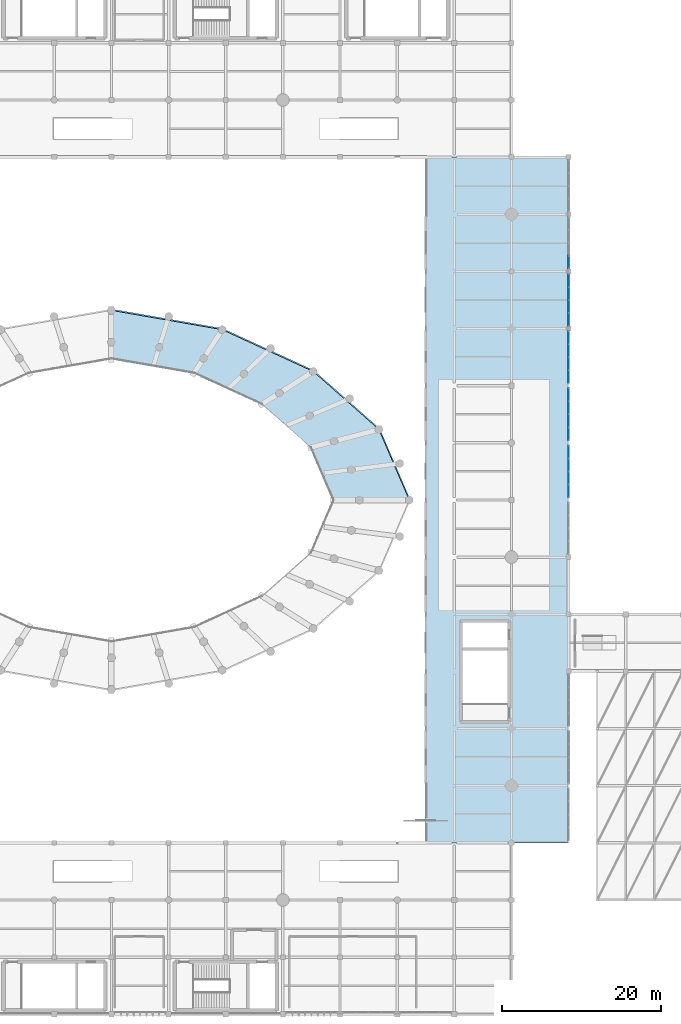
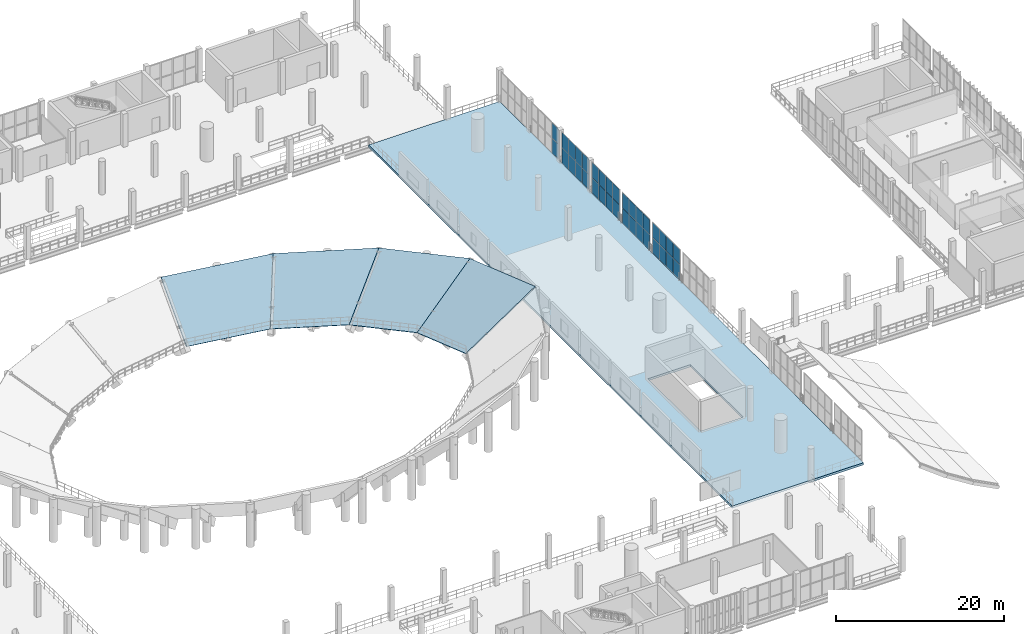
# One storey, part 78 of 105: 34 plates, 5 slabs, 5 elements without a shape of their own.
"""IFC4 building model written with IfcOpenShell, lengths in metres."""

import ifcopenshell
import ifcopenshell.guid

model = None  # the IFC model being written
_history = None  # IfcOwnerHistory: only IFC2X3 demands one
_inside = {}  # id of a spatial element -> (the spatial element, [elements in it])
_under = {}  # id of a project, library or spatial element -> (it, [spatial elements below it])
_declared = {}  # id of a project -> (the project, [libraries it declares])
_typed = {}  # id of a type object -> (the type object, [elements of that type])
_made_of = {}  # id of a material, layer set ... -> (it, [elements and type objects made of it])


def new_model(schema):
    """Start an empty IFC model of exactly this schema.

    Asked for "IFC4X3", IfcOpenShell would pick the latest addendum, in which some entities
    have other attributes; the version numbers below select the first issue.
    IFC2X3 requires an IfcOwnerHistory on every rooted entity: one is made here for all.
    """
    global model, _history
    if schema == "IFC4X3":
        model = ifcopenshell.file(schema_version=(4, 3, 0, 0))
    else:
        model = ifcopenshell.file(schema=schema)
    _inside.clear()
    _under.clear()
    _declared.clear()
    _typed.clear()
    _made_of.clear()
    _history = None
    if model.schema == "IFC2X3":
        org = make("IfcOrganization", Name="unknown")
        user = make(
            "IfcPersonAndOrganization",
            ThePerson=make("IfcPerson", FamilyName="unknown"),
            TheOrganization=org,
        )
        app = make(
            "IfcApplication",
            ApplicationDeveloper=org,
            Version="unknown",
            ApplicationFullName="unknown",
            ApplicationIdentifier="unknown",
        )
        _history = make(
            "IfcOwnerHistory",
            OwningUser=user,
            OwningApplication=app,
            ChangeAction="ADDED",
            CreationDate=0,
        )
    return model


def make(cls, **values):
    """One entity of the class cls with the attributes given. An attribute that is None is left unset."""
    return model.create_entity(
        cls, **{name: value for name, value in values.items() if value is not None}
    )


def rooted(cls, **values):
    """An entity with a GlobalId (a new one), such as an element, a storey or a relation."""
    return make(cls, GlobalId=ifcopenshell.guid.new(), OwnerHistory=_history, **values)


def si_unit(unit_type, name, prefix=None):
    """IfcSIUnit, for example si_unit("LENGTHUNIT", "METRE", prefix="MILLI")."""
    return make("IfcSIUnit", UnitType=unit_type, Prefix=prefix, Name=name)


def assignment(units):
    """IfcUnitAssignment: the units of a project."""
    return None if units is None else make("IfcUnitAssignment", Units=units)


def point(xyz):
    """IfcCartesianPoint."""
    return None if xyz is None else make("IfcCartesianPoint", Coordinates=xyz)


def direction(xyz):
    """IfcDirection."""
    return None if xyz is None else make("IfcDirection", DirectionRatios=xyz)


def frame(location, z_axis=None, x_axis=None):
    """IfcAxis2Placement3D, a coordinate frame: its origin and axes. An axis left out is left unset."""
    return make(
        "IfcAxis2Placement3D",
        Location=point(location),
        Axis=direction(z_axis),
        RefDirection=direction(x_axis),
    )


def frame_2d(location, x_axis=None):
    """IfcAxis2Placement2D, a coordinate frame in the plane: its origin and x axis."""
    return make(
        "IfcAxis2Placement2D", Location=point(location), RefDirection=direction(x_axis)
    )


def origin():
    """The frame at (0, 0, 0) with its axes left unset."""
    return frame((0.0, 0.0, 0.0))


def origin_2d():
    """The frame at (0, 0) in the plane with its x axis left unset."""
    return frame_2d((0.0, 0.0))


def place(relative_to, where):
    """IfcLocalPlacement: puts the frame where relative to a parent placement (None: the world)."""
    return make(
        "IfcLocalPlacement", PlacementRelTo=relative_to, RelativePlacement=where
    )


def context(
    kind, dimensions, precision=None, world=None, true_north=None, identifier=None
):
    """IfcGeometricRepresentationContext, for example the 3D "Model" context."""
    return make(
        "IfcGeometricRepresentationContext",
        ContextIdentifier=identifier,
        ContextType=kind,
        CoordinateSpaceDimension=dimensions,
        Precision=precision,
        WorldCoordinateSystem=world,
        TrueNorth=true_north,
    )


def subcontext(parent, identifier, kind, view, scale=None):
    """IfcGeometricRepresentationSubContext, for example "Body" below "Model"."""
    return make(
        "IfcGeometricRepresentationSubContext",
        ContextIdentifier=identifier,
        ContextType=kind,
        ParentContext=parent,
        TargetScale=scale,
        TargetView=view,
    )


def project(units=None, contexts=None):
    """IfcProject with its units and contexts."""
    return rooted(
        "IfcProject",
        Name="project",
        RepresentationContexts=contexts,
        UnitsInContext=assignment(units),
    )


def spatial(cls, under=None, at=None, **own):
    """A site, building, storey or space (cls), placed at a placement, below another one or the project."""
    s = rooted(cls, ObjectPlacement=at, **own)
    if under is not None:
        _under.setdefault(under.id(), (under, []))[1].append(s)
    return s


def polyline(points):
    """IfcPolyline through the points."""
    return make("IfcPolyline", Points=[point(p) for p in points])


def profile(cls, at=None, kind="AREA", **sizes):
    """A parametric profile (cls). Its sizes go by their IFC names, for example OverallWidth=200.0."""
    return make(cls, ProfileType=kind, Position=at, **sizes)


def rectangle(**sizes):
    """IfcRectangleProfileDef."""
    return profile("IfcRectangleProfileDef", **sizes)


def outline(outer, holes=None, kind="AREA"):
    """IfcArbitraryClosedProfileDef: a profile drawn as a closed curve; with holes, ...WithVoids."""
    if holes is None:
        return make("IfcArbitraryClosedProfileDef", ProfileType=kind, OuterCurve=outer)
    return make(
        "IfcArbitraryProfileDefWithVoids",
        ProfileType=kind,
        OuterCurve=outer,
        InnerCurves=holes,
    )


def extrude(swept, where, along, depth):
    """IfcExtrudedAreaSolid: the profile swept, set in the frame where, extruded along a direction by depth."""
    return make(
        "IfcExtrudedAreaSolid",
        SweptArea=swept,
        Position=where,
        ExtrudedDirection=direction(along),
        Depth=depth,
    )


def shape(context_of_items, identifier, shape_type, items):
    """IfcShapeRepresentation: the items that make up one representation, for example the "Body"."""
    return make(
        "IfcShapeRepresentation",
        ContextOfItems=context_of_items,
        RepresentationIdentifier=identifier,
        RepresentationType=shape_type,
        Items=items,
    )


def material(Name=None, Category=None):
    """IfcMaterial."""
    return make("IfcMaterial", Name=Name, Category=Category)


def layer(
    of_material, thickness, ventilated=None, Name=None, Category=None, Priority=None
):
    """IfcMaterialLayer: one layer of a wall or slab, of a material (None: an air gap)."""
    return make(
        "IfcMaterialLayer",
        Material=of_material,
        LayerThickness=thickness,
        IsVentilated=ventilated,
        Name=Name,
        Category=Category,
        Priority=Priority,
    )


def layer_set(layers, Name=None):
    """IfcMaterialLayerSet."""
    return make("IfcMaterialLayerSet", MaterialLayers=layers, LayerSetName=Name)


def made_of(thing, what):
    """Note that an element or type object is made of a material, layer set ...; save() writes the relation."""
    if what is not None:
        _made_of.setdefault(what.id(), (what, []))[1].append(thing)
    return thing


def type_object(cls, material=None, **own):
    """A type object (cls), such as IfcWallType, which elements share."""
    return made_of(rooted(cls, **own), material)


def element(
    cls,
    number,
    at=None,
    inside=None,
    cuts=None,
    type_object=None,
    material=None,
    context=None,
    identifier="Body",
    shape_type=None,
    held_by="IfcProductDefinitionShape",
    body=None,
    shapes=None,
    **own,
):
    """One element of the class cls, such as IfcWall. Its Tag is "e" and its number.

    at: its placement. inside: the storey or other place that contains it. cuts: it is an
    opening in that element (IfcRelVoidsElement). A single representation is given by context,
    identifier, shape_type and body (its items); several are given by shapes. held_by: the class
    of the entity that holds the representations. save() writes the other relations.
    """
    e = rooted(cls, Tag="e%d" % number, ObjectPlacement=at, **own)
    if body is not None:
        shapes = [shape(context, identifier, shape_type, body)]
    if shapes is not None:
        e.Representation = make(held_by, Representations=shapes)
    if inside is not None:
        _inside.setdefault(inside.id(), (inside, []))[1].append(e)
    if cuts is not None:
        rooted(
            "IfcRelVoidsElement", RelatingBuildingElement=cuts, RelatedOpeningElement=e
        )
    if type_object is not None:
        _typed.setdefault(type_object.id(), (type_object, []))[1].append(e)
    return made_of(e, material)


def aggregate(whole, parts):
    """IfcRelAggregates: a whole, such as a stair, and the parts it consists of."""
    return rooted("IfcRelAggregates", RelatingObject=whole, RelatedObjects=parts)


def save(model, path):
    """Write the relations noted so far, then the file.

    IfcRelAggregates (storeys below a building ...), IfcRelContainedInSpatialStructure (elements
    in a storey), IfcRelDefinesByType, IfcRelAssociatesMaterial and IfcRelDeclares: one each for
    every whole, place, type object, material and project.
    """
    for whole, parts in _under.values():
        aggregate(whole, parts)
    for where, things in _inside.values():
        rooted(
            "IfcRelContainedInSpatialStructure",
            RelatedElements=things,
            RelatingStructure=where,
        )
    for kind, things in _typed.values():
        rooted("IfcRelDefinesByType", RelatedObjects=things, RelatingType=kind)
    for what, things in _made_of.values():
        rooted("IfcRelAssociatesMaterial", RelatedObjects=things, RelatingMaterial=what)
    for by, libraries in _declared.values():
        rooted("IfcRelDeclares", RelatingContext=by, RelatedDefinitions=libraries)
    model.write(path)


model = new_model("IFC4")

# Units and contexts
model_context = context("Model", 3, precision=1e-05, world=origin(), true_north=direction((0.0, 1.0)))
body_context = subcontext(model_context, "Body", "Model", "MODEL_VIEW")
ifc_project = project(units=[si_unit("LENGTHUNIT", "METRE"), si_unit("AREAUNIT", "SQUARE_METRE"), si_unit("VOLUMEUNIT", "CUBIC_METRE"), si_unit("PLANEANGLEUNIT", "RADIAN"), si_unit("MASSUNIT", "GRAM", prefix="KILO")], contexts=[model_context])

# Site, building, storey
site_placement = place(None, origin())
site = spatial("IfcSite", under=ifc_project, at=site_placement, CompositionType="ELEMENT")
building_placement = place(site_placement, origin())
building = spatial("IfcBuilding", under=site, at=building_placement, Name="Qandorah Velis Arena", CompositionType="ELEMENT")
storey_placement = place(building_placement, frame((0.0, 0.0, 13.800048828125)))
storey = spatial("IfcBuildingStorey", under=building, at=storey_placement, Name="L03", CompositionType="ELEMENT", Elevation=13.800048828125)

# Curtain wall, plates
ifc_material_1 = material(Name="Solar-control low-E double glazing", Category="glass")
curtain_wall_type_1 = type_object("IfcCurtainWallType", Name="ARC-CW-SYS18", PredefinedType="USERDEFINED", material=ifc_material_1)
curtain_wall_1_placement = place(storey_placement, origin())
curtain_wall_1 = element("IfcCurtainWall", 1, at=curtain_wall_1_placement, inside=storey, type_object=curtain_wall_type_1, Name="Unitised curtain wall L03-114", ObjectType="UNITISED CURTAIN WALL", PredefinedType="USERDEFINED")
ifc_layer_1 = layer(ifc_material_1, 0.02392578125)
ifc_layer_set_1 = layer_set([ifc_layer_1], Name="Solar-control low-E double glazing")
plate_type_1 = type_object("IfcPlateType", Name="ARC-CWP-GLZ24", PredefinedType="CURTAIN_PANEL", material=ifc_layer_set_1)
plate_1_placement = place(storey_placement, frame((122.39990234375, 65.941162109375, 0.054931640625), z_axis=(0.0, 0.0, 1.0), x_axis=(0.0, 1.0, 0.0)))
plate_1 = element("IfcPlate", 2, at=plate_1_placement, type_object=plate_type_1, Name="CW18 panel 1.1", PredefinedType="CURTAIN_PANEL", context=body_context, shape_type="SweptSolid", body=[
    extrude(rectangle(XDim=1.572509765625, YDim=0.02392578125, at=origin_2d()), origin(), (0.0, 0.0, 1.0), 2.1875),
])
plate_2_placement = place(storey_placement, frame((122.39990234375, 65.941162109375, 2.287353515625), z_axis=(0.0, 0.0, 1.0), x_axis=(0.0, 1.0, 0.0)))
plate_2 = element("IfcPlate", 3, at=plate_2_placement, type_object=plate_type_1, Name="CW18 panel 1.2", PredefinedType="CURTAIN_PANEL", context=body_context, shape_type="SweptSolid", body=[
    extrude(rectangle(XDim=1.572509765625, YDim=0.02392578125, at=origin_2d()), origin(), (0.0, 0.0, 1.0), 2.1875),
])
plate_3_placement = place(storey_placement, frame((122.39990234375, 67.574951171875, 0.054931640625), z_axis=(0.0, 0.0, 1.0), x_axis=(0.0, 1.0, 0.0)))
plate_3 = element("IfcPlate", 4, at=plate_3_placement, type_object=plate_type_1, Name="CW18 panel 2.1", PredefinedType="CURTAIN_PANEL", context=body_context, shape_type="SweptSolid", body=[
    extrude(rectangle(XDim=1.60498046875, YDim=0.02392578125, at=origin_2d()), origin(), (0.0, 0.0, 1.0), 2.1875),
])
plate_4_placement = place(storey_placement, frame((122.39990234375, 67.574951171875, 2.287353515625), z_axis=(0.0, 0.0, 1.0), x_axis=(0.0, 1.0, 0.0)))
plate_4 = element("IfcPlate", 5, at=plate_4_placement, type_object=plate_type_1, Name="CW18 panel 2.2", PredefinedType="CURTAIN_PANEL", context=body_context, shape_type="SweptSolid", body=[
    extrude(rectangle(XDim=1.60498046875, YDim=0.02392578125, at=origin_2d()), origin(), (0.0, 0.0, 1.0), 2.1875),
])
plate_5_placement = place(storey_placement, frame((122.39990234375, 69.22509765625, 0.054931640625), z_axis=(0.0, 0.0, 1.0), x_axis=(0.0, 1.0, 0.0)))
plate_5 = element("IfcPlate", 6, at=plate_5_placement, type_object=plate_type_1, Name="CW18 panel 3.1", PredefinedType="CURTAIN_PANEL", context=body_context, shape_type="SweptSolid", body=[
    extrude(rectangle(XDim=1.60498046875, YDim=0.02392578125, at=origin_2d()), origin(), (0.0, 0.0, 1.0), 2.1875),
])
plate_6_placement = place(storey_placement, frame((122.39990234375, 69.22509765625, 2.287353515625), z_axis=(0.0, 0.0, 1.0), x_axis=(0.0, 1.0, 0.0)))
plate_6 = element("IfcPlate", 7, at=plate_6_placement, type_object=plate_type_1, Name="CW18 panel 3.2", PredefinedType="CURTAIN_PANEL", context=body_context, shape_type="SweptSolid", body=[
    extrude(rectangle(XDim=1.60498046875, YDim=0.02392578125, at=origin_2d()), origin(), (0.0, 0.0, 1.0), 2.1875),
])
plate_7_placement = place(storey_placement, frame((122.39990234375, 70.858642578125, 0.054931640625), z_axis=(0.0, 0.0, 1.0), x_axis=(0.0, 1.0, 0.0)))
plate_7 = element("IfcPlate", 8, at=plate_7_placement, type_object=plate_type_1, Name="CW18 panel 4.1", PredefinedType="CURTAIN_PANEL", context=body_context, shape_type="SweptSolid", body=[
    extrude(rectangle(XDim=1.572509765625, YDim=0.02392578125, at=origin_2d()), origin(), (0.0, 0.0, 1.0), 2.1875),
])
plate_8_placement = place(storey_placement, frame((122.39990234375, 70.858642578125, 2.287353515625), z_axis=(0.0, 0.0, 1.0), x_axis=(0.0, 1.0, 0.0)))
plate_8 = element("IfcPlate", 9, at=plate_8_placement, type_object=plate_type_1, Name="CW18 panel 4.2", PredefinedType="CURTAIN_PANEL", context=body_context, shape_type="SweptSolid", body=[
    extrude(rectangle(XDim=1.572509765625, YDim=0.02392578125, at=origin_2d()), origin(), (0.0, 0.0, 1.0), 2.1875),
])
aggregate(curtain_wall_1, [plate_1, plate_2, plate_3, plate_4, plate_5, plate_6, plate_7, plate_8])

curtain_wall_type_2 = type_object("IfcCurtainWallType", Name="ARC-CW-SYS09", PredefinedType="USERDEFINED", material=ifc_material_1)
curtain_wall_2_placement = place(storey_placement, origin())
curtain_wall_2 = element("IfcCurtainWall", 10, at=curtain_wall_2_placement, inside=storey, type_object=curtain_wall_type_2, Name="Unitised curtain wall L03-177", ObjectType="UNITISED CURTAIN WALL", PredefinedType="USERDEFINED")
ifc_layer_2 = layer(ifc_material_1, 0.030029296875)
ifc_layer_set_2 = layer_set([ifc_layer_2], Name="Solar-control low-E double glazing")
plate_type_2 = type_object("IfcPlateType", Name="ARC-CWP-GLZ30", PredefinedType="CURTAIN_PANEL", material=ifc_layer_set_2)
plate_9_placement = place(storey_placement, frame((122.39990234375, 94.784423828125, 0.06494140625), z_axis=(0.0, 0.0, 1.0), x_axis=(0.0, 1.0, 0.0)))
plate_9 = element("IfcPlate", 11, at=plate_9_placement, type_object=plate_type_2, Name="CW09 panel 1.1", PredefinedType="CURTAIN_PANEL", context=body_context, shape_type="SweptSolid", body=[
    extrude(rectangle(XDim=1.538818359375, YDim=0.030029296875, at=origin_2d()), origin(), (0.0, 0.0, 1.0), 2.172607421875),
])
plate_10_placement = place(storey_placement, frame((122.39990234375, 94.784423828125, 2.29248046875), z_axis=(0.0, 0.0, 1.0), x_axis=(0.0, 1.0, 0.0)))
plate_10 = element("IfcPlate", 12, at=plate_10_placement, type_object=plate_type_2, Name="CW09 panel 1.2", PredefinedType="CURTAIN_PANEL", context=body_context, shape_type="SweptSolid", body=[
    extrude(rectangle(XDim=1.538818359375, YDim=0.030029296875, at=origin_2d()), origin(), (0.0, 0.0, 1.0), 2.172607421875),
])
aggregate(curtain_wall_2, [plate_9, plate_10])

curtain_wall_type_3 = type_object("IfcCurtainWallType", Name="ARC-CW-SYS20", PredefinedType="USERDEFINED", material=ifc_material_1)
curtain_wall_3_placement = place(storey_placement, origin())
curtain_wall_3 = element("IfcCurtainWall", 13, at=curtain_wall_3_placement, inside=storey, type_object=curtain_wall_type_3, Name="Unitised curtain wall L03-116", ObjectType="UNITISED CURTAIN WALL", PredefinedType="USERDEFINED")
ifc_layer_3 = layer(ifc_material_1, 0.035888671875)
ifc_layer_set_3 = layer_set([ifc_layer_3], Name="Solar-control low-E double glazing")
plate_type_3 = type_object("IfcPlateType", Name="ARC-CWP-GLZ36", PredefinedType="CURTAIN_PANEL", material=ifc_layer_set_3)
plate_11_placement = place(storey_placement, frame((122.39990234375, 80.335693359375, 0.044921875), z_axis=(0.0, 0.0, 1.0), x_axis=(0.0, 1.0, 0.0)))
plate_11 = element("IfcPlate", 14, at=plate_11_placement, type_object=plate_type_3, Name="CW20 panel 1.1", PredefinedType="CURTAIN_PANEL", context=body_context, shape_type="SweptSolid", body=[
    extrude(rectangle(XDim=1.581298828125, YDim=0.035888671875, at=origin_2d()), origin(), (0.0, 0.0, 1.0), 2.202392578125),
])
plate_12_placement = place(storey_placement, frame((122.39990234375, 80.335693359375, 2.28271484375), z_axis=(0.0, 0.0, 1.0), x_axis=(0.0, 1.0, 0.0)))
plate_12 = element("IfcPlate", 15, at=plate_12_placement, type_object=plate_type_3, Name="CW20 panel 1.2", PredefinedType="CURTAIN_PANEL", context=body_context, shape_type="SweptSolid", body=[
    extrude(rectangle(XDim=1.581298828125, YDim=0.035888671875, at=origin_2d()), origin(), (0.0, 0.0, 1.0), 2.202392578125),
])
plate_13_placement = place(storey_placement, frame((122.39990234375, 81.965576171875, 0.044921875), z_axis=(0.0, 0.0, 1.0), x_axis=(0.0, 1.0, 0.0)))
plate_13 = element("IfcPlate", 16, at=plate_13_placement, type_object=plate_type_3, Name="CW20 panel 2.1", PredefinedType="CURTAIN_PANEL", context=body_context, shape_type="SweptSolid", body=[
    extrude(rectangle(XDim=1.60888671875, YDim=0.035888671875, at=origin_2d()), origin(), (0.0, 0.0, 1.0), 2.202392578125),
])
plate_14_placement = place(storey_placement, frame((122.39990234375, 81.965576171875, 2.28271484375), z_axis=(0.0, 0.0, 1.0), x_axis=(0.0, 1.0, 0.0)))
plate_14 = element("IfcPlate", 17, at=plate_14_placement, type_object=plate_type_3, Name="CW20 panel 2.2", PredefinedType="CURTAIN_PANEL", context=body_context, shape_type="SweptSolid", body=[
    extrude(rectangle(XDim=1.60888671875, YDim=0.035888671875, at=origin_2d()), origin(), (0.0, 0.0, 1.0), 2.202392578125),
])
plate_15_placement = place(storey_placement, frame((122.39990234375, 83.609375, 0.044921875), z_axis=(0.0, 0.0, 1.0), x_axis=(0.0, 1.0, 0.0)))
plate_15 = element("IfcPlate", 18, at=plate_15_placement, type_object=plate_type_3, Name="CW20 panel 3.1", PredefinedType="CURTAIN_PANEL", context=body_context, shape_type="SweptSolid", body=[
    extrude(rectangle(XDim=1.60888671875, YDim=0.035888671875, at=origin_2d()), origin(), (0.0, 0.0, 1.0), 2.202392578125),
])
plate_16_placement = place(storey_placement, frame((122.39990234375, 83.609375, 2.28271484375), z_axis=(0.0, 0.0, 1.0), x_axis=(0.0, 1.0, 0.0)))
plate_16 = element("IfcPlate", 19, at=plate_16_placement, type_object=plate_type_3, Name="CW20 panel 3.2", PredefinedType="CURTAIN_PANEL", context=body_context, shape_type="SweptSolid", body=[
    extrude(rectangle(XDim=1.60888671875, YDim=0.035888671875, at=origin_2d()), origin(), (0.0, 0.0, 1.0), 2.202392578125),
])
plate_17_placement = place(storey_placement, frame((122.39990234375, 85.2392578125, 0.044921875), z_axis=(0.0, 0.0, 1.0), x_axis=(0.0, 1.0, 0.0)))
plate_17 = element("IfcPlate", 20, at=plate_17_placement, type_object=plate_type_3, Name="CW20 panel 4.1", PredefinedType="CURTAIN_PANEL", context=body_context, shape_type="SweptSolid", body=[
    extrude(rectangle(XDim=1.581298828125, YDim=0.035888671875, at=origin_2d()), origin(), (0.0, 0.0, 1.0), 2.202392578125),
])
plate_18_placement = place(storey_placement, frame((122.39990234375, 85.2392578125, 2.28271484375), z_axis=(0.0, 0.0, 1.0), x_axis=(0.0, 1.0, 0.0)))
plate_18 = element("IfcPlate", 21, at=plate_18_placement, type_object=plate_type_3, Name="CW20 panel 4.2", PredefinedType="CURTAIN_PANEL", context=body_context, shape_type="SweptSolid", body=[
    extrude(rectangle(XDim=1.581298828125, YDim=0.035888671875, at=origin_2d()), origin(), (0.0, 0.0, 1.0), 2.202392578125),
])
aggregate(curtain_wall_3, [plate_11, plate_12, plate_13, plate_14, plate_15, plate_16, plate_17, plate_18])

curtain_wall_type_4 = type_object("IfcCurtainWallType", Name="ARC-CW-SYS08", PredefinedType="USERDEFINED", material=ifc_material_1)
curtain_wall_4_placement = place(storey_placement, origin())
curtain_wall_4 = element("IfcCurtainWall", 22, at=curtain_wall_4_placement, inside=storey, type_object=curtain_wall_type_4, Name="Unitised curtain wall L03-176", ObjectType="UNITISED CURTAIN WALL", PredefinedType="USERDEFINED")
plate_19_placement = place(storey_placement, frame((122.39990234375, 87.554443359375, 0.044921875), z_axis=(0.0, 0.0, 1.0), x_axis=(0.0, 1.0, 0.0)))
plate_19 = element("IfcPlate", 23, at=plate_19_placement, type_object=plate_type_3, Name="CW08 panel 1.1", PredefinedType="CURTAIN_PANEL", context=body_context, shape_type="SweptSolid", body=[
    extrude(rectangle(XDim=1.56884765625, YDim=0.035888671875, at=origin_2d()), origin(), (0.0, 0.0, 1.0), 2.202392578125),
])
plate_20_placement = place(storey_placement, frame((122.39990234375, 87.554443359375, 2.28271484375), z_axis=(0.0, 0.0, 1.0), x_axis=(0.0, 1.0, 0.0)))
plate_20 = element("IfcPlate", 24, at=plate_20_placement, type_object=plate_type_3, Name="CW08 panel 1.2", PredefinedType="CURTAIN_PANEL", context=body_context, shape_type="SweptSolid", body=[
    extrude(rectangle(XDim=1.56884765625, YDim=0.035888671875, at=origin_2d()), origin(), (0.0, 0.0, 1.0), 2.202392578125),
])
plate_21_placement = place(storey_placement, frame((122.39990234375, 89.171875, 0.044921875), z_axis=(0.0, 0.0, 1.0), x_axis=(0.0, 1.0, 0.0)))
plate_21 = element("IfcPlate", 25, at=plate_21_placement, type_object=plate_type_3, Name="CW08 panel 2.1", PredefinedType="CURTAIN_PANEL", context=body_context, shape_type="SweptSolid", body=[
    extrude(rectangle(XDim=1.59619140625, YDim=0.035888671875, at=origin_2d()), origin(), (0.0, 0.0, 1.0), 2.202392578125),
])
plate_22_placement = place(storey_placement, frame((122.39990234375, 89.171875, 2.28271484375), z_axis=(0.0, 0.0, 1.0), x_axis=(0.0, 1.0, 0.0)))
plate_22 = element("IfcPlate", 26, at=plate_22_placement, type_object=plate_type_3, Name="CW08 panel 2.2", PredefinedType="CURTAIN_PANEL", context=body_context, shape_type="SweptSolid", body=[
    extrude(rectangle(XDim=1.59619140625, YDim=0.035888671875, at=origin_2d()), origin(), (0.0, 0.0, 1.0), 2.202392578125),
])
plate_23_placement = place(storey_placement, frame((122.39990234375, 90.80322265625, 0.044921875), z_axis=(0.0, 0.0, 1.0), x_axis=(0.0, 1.0, 0.0)))
plate_23 = element("IfcPlate", 27, at=plate_23_placement, type_object=plate_type_3, Name="CW08 panel 3.1", PredefinedType="CURTAIN_PANEL", context=body_context, shape_type="SweptSolid", body=[
    extrude(rectangle(XDim=1.59619140625, YDim=0.035888671875, at=origin_2d()), origin(), (0.0, 0.0, 1.0), 2.202392578125),
])
plate_24_placement = place(storey_placement, frame((122.39990234375, 90.80322265625, 2.28271484375), z_axis=(0.0, 0.0, 1.0), x_axis=(0.0, 1.0, 0.0)))
plate_24 = element("IfcPlate", 28, at=plate_24_placement, type_object=plate_type_3, Name="CW08 panel 3.2", PredefinedType="CURTAIN_PANEL", context=body_context, shape_type="SweptSolid", body=[
    extrude(rectangle(XDim=1.59619140625, YDim=0.035888671875, at=origin_2d()), origin(), (0.0, 0.0, 1.0), 2.202392578125),
])
plate_25_placement = place(storey_placement, frame((122.39990234375, 92.420654296875, 0.044921875), z_axis=(0.0, 0.0, 1.0), x_axis=(0.0, 1.0, 0.0)))
plate_25 = element("IfcPlate", 29, at=plate_25_placement, type_object=plate_type_3, Name="CW08 panel 4.1", PredefinedType="CURTAIN_PANEL", context=body_context, shape_type="SweptSolid", body=[
    extrude(rectangle(XDim=1.56884765625, YDim=0.035888671875, at=origin_2d()), origin(), (0.0, 0.0, 1.0), 2.202392578125),
])
plate_26_placement = place(storey_placement, frame((122.39990234375, 92.420654296875, 2.28271484375), z_axis=(0.0, 0.0, 1.0), x_axis=(0.0, 1.0, 0.0)))
plate_26 = element("IfcPlate", 30, at=plate_26_placement, type_object=plate_type_3, Name="CW08 panel 4.2", PredefinedType="CURTAIN_PANEL", context=body_context, shape_type="SweptSolid", body=[
    extrude(rectangle(XDim=1.56884765625, YDim=0.035888671875, at=origin_2d()), origin(), (0.0, 0.0, 1.0), 2.202392578125),
])
aggregate(curtain_wall_4, [plate_19, plate_20, plate_21, plate_22, plate_23, plate_24, plate_25, plate_26])

curtain_wall_type_5 = type_object("IfcCurtainWallType", Name="ARC-CW-SYS19", PredefinedType="USERDEFINED", material=ifc_material_1)
curtain_wall_5_placement = place(storey_placement, origin())
curtain_wall_5 = element("IfcCurtainWall", 31, at=curtain_wall_5_placement, inside=storey, type_object=curtain_wall_type_5, Name="Unitised curtain wall L03-115", ObjectType="UNITISED CURTAIN WALL", PredefinedType="USERDEFINED")
ifc_layer_4 = layer(ifc_material_1, 0.0439453125)
ifc_layer_set_4 = layer_set([ifc_layer_4], Name="Solar-control low-E double glazing")
plate_type_4 = type_object("IfcPlateType", Name="ARC-CWP-SPN44", PredefinedType="CURTAIN_PANEL", material=ifc_layer_set_4)
plate_27_placement = place(storey_placement, frame((122.39990234375, 73.139892578125, 0.0498046875), z_axis=(0.0, 0.0, 1.0), x_axis=(0.0, 1.0, 0.0)))
plate_27 = element("IfcPlate", 32, at=plate_27_placement, type_object=plate_type_4, Name="CW19 panel 1.1", PredefinedType="CURTAIN_PANEL", context=body_context, shape_type="SweptSolid", body=[
    extrude(rectangle(XDim=1.580078125, YDim=0.0439453125, at=origin_2d()), origin(), (0.0, 0.0, 1.0), 2.195068359375),
])
plate_28_placement = place(storey_placement, frame((122.39990234375, 73.139892578125, 2.28515625), z_axis=(0.0, 0.0, 1.0), x_axis=(0.0, 1.0, 0.0)))
plate_28 = element("IfcPlate", 33, at=plate_28_placement, type_object=plate_type_4, Name="CW19 panel 1.2", PredefinedType="CURTAIN_PANEL", context=body_context, shape_type="SweptSolid", body=[
    extrude(rectangle(XDim=1.580078125, YDim=0.0439453125, at=origin_2d()), origin(), (0.0, 0.0, 1.0), 2.195068359375),
])
plate_29_placement = place(storey_placement, frame((122.39990234375, 74.77490234375, 0.0498046875), z_axis=(0.0, 0.0, 1.0), x_axis=(0.0, 1.0, 0.0)))
plate_29 = element("IfcPlate", 34, at=plate_29_placement, type_object=plate_type_4, Name="CW19 panel 2.1", PredefinedType="CURTAIN_PANEL", context=body_context, shape_type="SweptSolid", body=[
    extrude(rectangle(XDim=1.610107421875, YDim=0.0439453125, at=origin_2d()), origin(), (0.0, 0.0, 1.0), 2.195068359375),
])
plate_30_placement = place(storey_placement, frame((122.39990234375, 74.77490234375, 2.28515625), z_axis=(0.0, 0.0, 1.0), x_axis=(0.0, 1.0, 0.0)))
plate_30 = element("IfcPlate", 35, at=plate_30_placement, type_object=plate_type_4, Name="CW19 panel 2.2", PredefinedType="CURTAIN_PANEL", context=body_context, shape_type="SweptSolid", body=[
    extrude(rectangle(XDim=1.610107421875, YDim=0.0439453125, at=origin_2d()), origin(), (0.0, 0.0, 1.0), 2.195068359375),
])
plate_31_placement = place(storey_placement, frame((122.39990234375, 76.425048828125, 0.0498046875), z_axis=(0.0, 0.0, 1.0), x_axis=(0.0, 1.0, 0.0)))
plate_31 = element("IfcPlate", 36, at=plate_31_placement, type_object=plate_type_4, Name="CW19 panel 3.1", PredefinedType="CURTAIN_PANEL", context=body_context, shape_type="SweptSolid", body=[
    extrude(rectangle(XDim=1.610107421875, YDim=0.0439453125, at=origin_2d()), origin(), (0.0, 0.0, 1.0), 2.195068359375),
])
plate_32_placement = place(storey_placement, frame((122.39990234375, 76.425048828125, 2.28515625), z_axis=(0.0, 0.0, 1.0), x_axis=(0.0, 1.0, 0.0)))
plate_32 = element("IfcPlate", 37, at=plate_32_placement, type_object=plate_type_4, Name="CW19 panel 3.2", PredefinedType="CURTAIN_PANEL", context=body_context, shape_type="SweptSolid", body=[
    extrude(rectangle(XDim=1.610107421875, YDim=0.0439453125, at=origin_2d()), origin(), (0.0, 0.0, 1.0), 2.195068359375),
])
plate_33_placement = place(storey_placement, frame((122.39990234375, 78.06005859375, 0.0498046875), z_axis=(0.0, 0.0, 1.0), x_axis=(0.0, 1.0, 0.0)))
plate_33 = element("IfcPlate", 38, at=plate_33_placement, type_object=plate_type_4, Name="CW19 panel 4.1", PredefinedType="CURTAIN_PANEL", context=body_context, shape_type="SweptSolid", body=[
    extrude(rectangle(XDim=1.580078125, YDim=0.0439453125, at=origin_2d()), origin(), (0.0, 0.0, 1.0), 2.195068359375),
])
plate_34_placement = place(storey_placement, frame((122.39990234375, 78.06005859375, 2.28515625), z_axis=(0.0, 0.0, 1.0), x_axis=(0.0, 1.0, 0.0)))
plate_34 = element("IfcPlate", 39, at=plate_34_placement, type_object=plate_type_4, Name="CW19 panel 4.2", PredefinedType="CURTAIN_PANEL", context=body_context, shape_type="SweptSolid", body=[
    extrude(rectangle(XDim=1.580078125, YDim=0.0439453125, at=origin_2d()), origin(), (0.0, 0.0, 1.0), 2.195068359375),
])
aggregate(curtain_wall_5, [plate_27, plate_28, plate_29, plate_30, plate_31, plate_32, plate_33, plate_34])

# Slabs
ifc_material_2 = material(Name="Concrete C40/50", Category="concrete")
ifc_layer_5 = layer(ifc_material_2, 0.320068359375)
ifc_layer_set_5 = layer_set([ifc_layer_5], Name="Concrete C40/50")
slab_type_1 = type_object("IfcSlabType", Name="STR-SLB-FL320", PredefinedType="FLOOR", material=ifc_layer_set_5)
slab_1_placement = place(storey_placement, frame((0.0, 0.0, -0.320068359375)))
element("IfcSlab", 40, at=slab_1_placement, inside=storey, type_object=slab_type_1, Name="Structural floor slab L03_EAST_UPPER", PredefinedType="FLOOR", context=body_context, shape_type="SweptSolid", body=[
    extrude(outline(polyline([(104.39990234375, 108.0), (122.39990234375, 108.0), (122.39990234375, 21.60009765625), (104.39990234375, 21.60009765625), (104.39990234375, 108.0)]), holes=[polyline([(108.945068359375, 36.945068359375), (114.7548828125, 36.945068359375), (114.7548828125, 36.945068359375), (114.7548828125, 49.455078125), (108.945068359375, 49.455078125), (108.945068359375, 39.155029296875), (108.945068359375, 36.945068359375)])]), origin(), (0.0, 0.0, 1.0), 0.320068359375),
])
ifc_material_3 = material(Name="Precast concrete C40/50", Category="concrete")
ifc_layer_6 = layer(ifc_material_3, 0.22998046875)
ifc_layer_set_6 = layer_set([ifc_layer_6], Name="Precast concrete C40/50")
slab_type_2 = type_object("IfcSlabType", Name="STR-SLB-TIER230", PredefinedType="USERDEFINED", material=ifc_layer_set_6)
slab_2_placement = place(storey_placement, frame((92.800048828125, 64.800048828125, 0.0), z_axis=(-0.542516117703, -0.233278602449, 0.80700517698), x_axis=(-0.395021631406, 0.918671818834, 1.085654e-06)))
element("IfcSlab", 41, at=slab_2_placement, inside=storey, type_object=slab_type_2, Name="Stand upper tier bay 01", ObjectType="SEATING TIER", PredefinedType="USERDEFINED", context=body_context, shape_type="SweptSolid", body=[
    extrude(outline(polyline([(0.0, 0.0), (7.219999675823445, 0.0), (5.914177526115966, -10.837282221523175), (-3.760606698173364, -10.837313280812616), (0.0, 0.0)])), origin(), (0.0, 0.0, -1.0), 0.22998046875),
])
slab_3_placement = place(storey_placement, frame((89.947998046875, 71.432861328125, 0.0), z_axis=(-0.434726437723, -0.492114720864, 0.754212188879), x_axis=(-0.749458756686, 0.66205103428, -5.934116e-06)))
element("IfcSlab", 42, at=slab_3_placement, inside=storey, type_object=slab_type_2, Name="Stand upper tier bay 02", ObjectType="SEATING TIER", PredefinedType="USERDEFINED", context=body_context, shape_type="SweptSolid", body=[
    extrude(outline(polyline([(0.0, 0.0), (8.23344324160457, 0.0), (6.117734212923087, -9.746632194164306), (-4.915120783676101, -9.746458080419883), (0.0, 0.0)])), origin(), (0.0, 0.0, -1.0), 0.22998046875),
])
slab_4_placement = place(storey_placement, frame((83.77734375, 76.8837890625, 0.0), z_axis=(-0.294365032669, -0.64136699489, 0.708517893499), x_axis=(-0.908845310851, 0.417133313129, 4.600999e-06)))
element("IfcSlab", 43, at=slab_4_placement, inside=storey, type_object=slab_type_2, Name="Stand upper tier bay 03", ObjectType="SEATING TIER", PredefinedType="USERDEFINED", context=body_context, shape_type="SweptSolid", body=[
    extrude(outline(polyline([(0.0, 0.0), (9.419434659791944, 4.440892098500626e-16), (8.471576888515362, -9.068907799681428), (-4.150345601379356, -9.069051505638859), (0.0, 0.0)])), origin(), (0.0, 0.0, -1.0), 0.22998046875),
])
slab_5_placement = place(storey_placement, frame((75.216552734375, 80.81298828125, 0.0), z_axis=(-0.125580704033, -0.720276435342, 0.682225287912), x_axis=(-0.985138605545, 0.171761252507, 1.734076e-06)))
element("IfcSlab", 44, at=slab_5_placement, inside=storey, type_object=slab_type_2, Name="Stand upper tier bay 04", ObjectType="SEATING TIER", PredefinedType="USERDEFINED", context=body_context, shape_type="SweptSolid", body=[
    extrude(outline(polyline([(0.0, 0.0), (10.573646411514273, 0.0), (11.614834301054657, -8.753268187294179), (-2.553975674479315, -8.753326869875206), (0.0, 0.0)])), origin(), (0.0, 0.0, -1.0), 0.22998046875),
])

save(model, "model.ifc")
